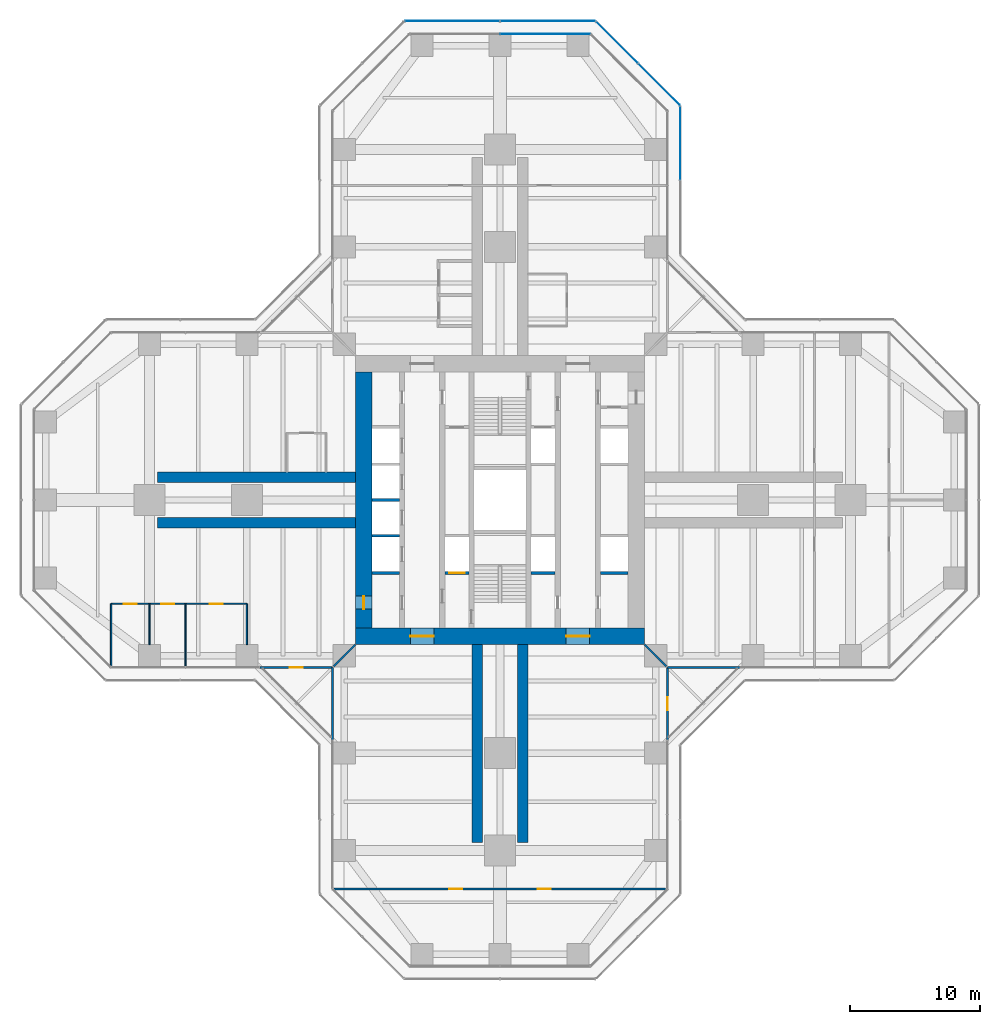
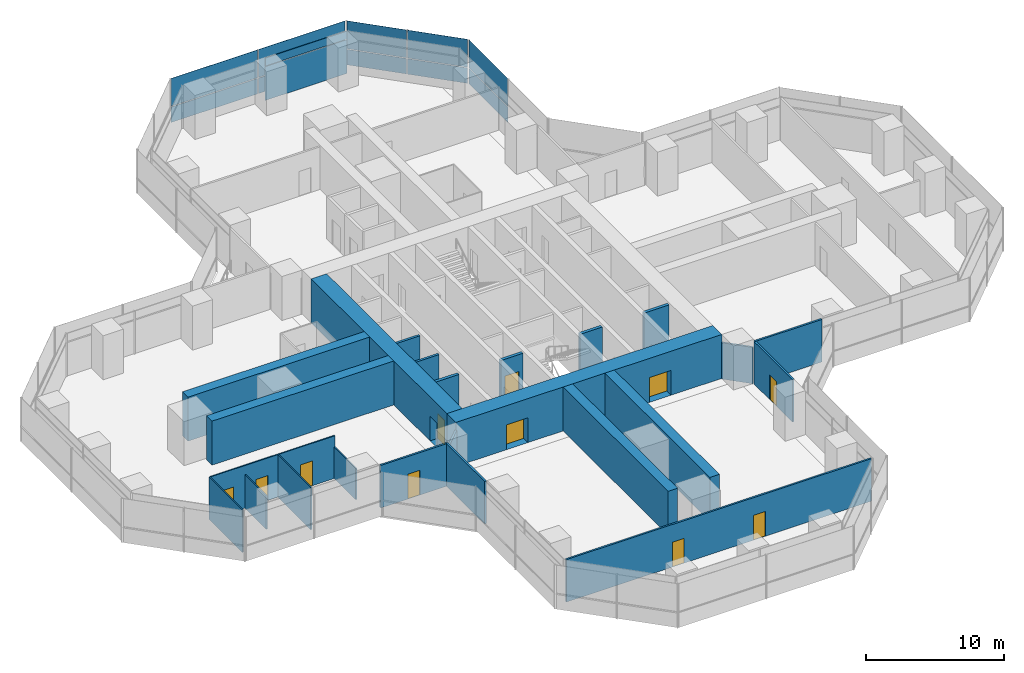
# One storey, part 17 of 22: 24 walls, 12 plates, 11 doors, 11 openings, 4 elements without a shape of their own.
"""IFC4 building model written with IfcOpenShell, lengths in metres."""

from ifc_helpers import new_model, si_unit, direction, frame, frame_2d, origin, origin_2d, place, context, subcontext, project, spatial, rectangle, extrude, material, layer, layer_set, type_object, element, fill, aggregate, save


model = new_model("IFC4")

# Units and contexts
model_context = context("Model", 3, precision=1e-05, world=origin(), true_north=direction((0.0, 1.0)))
body_context = subcontext(model_context, "Body", "Model", "MODEL_VIEW")
ifc_project = project(units=[si_unit("LENGTHUNIT", "METRE"), si_unit("AREAUNIT", "SQUARE_METRE"), si_unit("VOLUMEUNIT", "CUBIC_METRE"), si_unit("PLANEANGLEUNIT", "RADIAN"), si_unit("MASSUNIT", "GRAM", prefix="KILO")], contexts=[model_context])

# Site, building, storey
site_placement = place(None, origin())
site = spatial("IfcSite", under=ifc_project, at=site_placement, CompositionType="ELEMENT")
building_placement = place(site_placement, origin())
building = spatial("IfcBuilding", under=site, at=building_placement, Name="Mizan Broadcast Tower", CompositionType="ELEMENT")
storey_placement = place(building_placement, frame((0.0, 0.0, 70.800048828125)))
storey = spatial("IfcBuildingStorey", under=building, at=storey_placement, Name="L14", CompositionType="ELEMENT", Elevation=70.800048828125)

# Curtain wall, plates
ifc_material_1 = material(Name="Aluminium framed glazing", Category="aluminium")
curtain_wall_type_1 = type_object("IfcCurtainWallType", Name="INNER SKIN LOW ZONE", PredefinedType="USERDEFINED", material=ifc_material_1)
curtain_wall_1_placement = place(storey_placement, origin())
curtain_wall_1 = element("IfcCurtainWall", 1, at=curtain_wall_1_placement, inside=storey, type_object=curtain_wall_type_1, Name="Inner skin low zone L14 N end", ObjectType="INNER SKIN LOW ZONE", PredefinedType="USERDEFINED")
ifc_material_2 = material(Name="Double glazing, clear low-e", Category="glass")
ifc_layer_1 = layer(ifc_material_2, 0.028076171875)
ifc_layer_set_1 = layer_set([ifc_layer_1], Name="Double glazing, clear low-e")
plate_type_1 = type_object("IfcPlateType", Name="INNER SKIN GLAZING UNIT", PredefinedType="CURTAIN_PANEL", material=ifc_layer_set_1)
plate_1_placement = place(storey_placement, frame((3.46435546875, 35.89990234375, 0.0), z_axis=(0.0, 0.0, 1.0), x_axis=(-1.0, 0.0, 0.0)))
plate_1 = element("IfcPlate", 2, at=plate_1_placement, type_object=plate_type_1, Name="Inner skin low zone L14 N end panel 1.1", PredefinedType="CURTAIN_PANEL", context=body_context, shape_type="SweptSolid", body=[
    extrude(rectangle(XDim=6.86865234375, YDim=0.028076171875, at=origin_2d()), origin(), (0.0, 0.0, 1.0), 3.0),
])
ifc_material_3 = material(Name="Insulated aluminium spandrel panel, pale anodised", Category="aluminium")
ifc_layer_2 = layer(ifc_material_3, 0.050048828125)
ifc_layer_set_2 = layer_set([ifc_layer_2], Name="Insulated aluminium spandrel panel, pale anodised")
plate_type_2 = type_object("IfcPlateType", Name="INNER SKIN SPANDREL PANEL", PredefinedType="CURTAIN_PANEL", material=ifc_layer_set_2)
plate_2_placement = place(storey_placement, frame((3.46435546875, 35.89990234375, 3.06005859375), z_axis=(0.0, 0.0, 1.0), x_axis=(-1.0, 0.0, 0.0)))
plate_2 = element("IfcPlate", 3, at=plate_2_placement, type_object=plate_type_2, Name="Inner skin low zone L14 N end panel 1.2", PredefinedType="CURTAIN_PANEL", context=body_context, shape_type="SweptSolid", body=[
    extrude(rectangle(XDim=6.86865234375, YDim=0.050048828125, at=origin_2d()), origin(), (0.0, 0.0, 1.0), 0.7099609375),
])
aggregate(curtain_wall_1, [plate_1, plate_2])

ifc_material_4 = material(Name="Aluminium framed glazing", Category="aluminium")
curtain_wall_type_2 = type_object("IfcCurtainWallType", Name="OUTER SKIN", PredefinedType="USERDEFINED", material=ifc_material_4)
curtain_wall_2_placement = place(storey_placement, origin())
curtain_wall_2 = element("IfcCurtainWall", 4, at=curtain_wall_2_placement, inside=storey, type_object=curtain_wall_type_2, Name="Outer skin L14 N chamfer", ObjectType="OUTER SKIN", PredefinedType="USERDEFINED")
ifc_material_5 = material(Name="Laminated clear glass", Category="glass")
ifc_layer_3 = layer(ifc_material_5, 0.02001953125)
ifc_layer_set_3 = layer_set([ifc_layer_3], Name="Laminated clear glass")
plate_type_3 = type_object("IfcPlateType", Name="OUTER SKIN CLEAR GLASS", PredefinedType="CURTAIN_PANEL", material=ifc_layer_set_3)
plate_3_placement = place(storey_placement, frame((12.254150390625, 32.018798828125, 0.0), z_axis=(0.0, 0.0, 1.0), x_axis=(-0.707106781187, 0.707106781187, 0.0)))
plate_3 = element("IfcPlate", 5, at=plate_3_placement, type_object=plate_type_3, Name="Outer skin L14 N chamfer panel 1.1", PredefinedType="CURTAIN_PANEL", context=body_context, shape_type="SweptSolid", body=[
    extrude(rectangle(XDim=4.495361328125, YDim=0.02001953125, at=origin_2d()), origin(), (0.0, 0.0, 1.0), 1.3701171875),
])
plate_4_placement = place(storey_placement, frame((12.254150390625, 32.018798828125, 1.43017578125), z_axis=(0.0, 0.0, 1.0), x_axis=(-0.707106781187, 0.707106781187, 0.0)))
plate_4 = element("IfcPlate", 6, at=plate_4_placement, type_object=plate_type_3, Name="Outer skin L14 N chamfer panel 1.2", PredefinedType="CURTAIN_PANEL", context=body_context, shape_type="SweptSolid", body=[
    extrude(rectangle(XDim=4.495361328125, YDim=0.02001953125, at=origin_2d()), origin(), (0.0, 0.0, 1.0), 2.469970703125),
])

curtain_wall_3_placement = place(storey_placement, origin())
curtain_wall_3 = element("IfcCurtainWall", 7, at=curtain_wall_3_placement, inside=storey, type_object=curtain_wall_type_2, Name="Outer skin L14 N end", ObjectType="OUTER SKIN", PredefinedType="USERDEFINED")
plate_5_placement = place(storey_placement, frame((3.66650390625, 36.89990234375, 0.0), z_axis=(0.0, 0.0, 1.0), x_axis=(-1.0, 0.0, 0.0)))
plate_5 = element("IfcPlate", 8, at=plate_5_placement, type_object=plate_type_3, Name="Outer skin L14 N end panel 1.1", PredefinedType="CURTAIN_PANEL", context=body_context, shape_type="SweptSolid", body=[
    extrude(rectangle(XDim=7.252685546875, YDim=0.02001953125, at=origin_2d()), origin(), (0.0, 0.0, 1.0), 1.3701171875),
])
plate_6_placement = place(storey_placement, frame((3.66650390625, 36.89990234375, 1.43017578125), z_axis=(0.0, 0.0, 1.0), x_axis=(-1.0, 0.0, 0.0)))
plate_6 = element("IfcPlate", 9, at=plate_6_placement, type_object=plate_type_3, Name="Outer skin L14 N end panel 1.2", PredefinedType="CURTAIN_PANEL", context=body_context, shape_type="SweptSolid", body=[
    extrude(rectangle(XDim=7.252685546875, YDim=0.02001953125, at=origin_2d()), origin(), (0.0, 0.0, 1.0), 2.469970703125),
])
plate_7_placement = place(storey_placement, frame((-3.66650390625, 36.89990234375, 0.0), z_axis=(0.0, 0.0, 1.0), x_axis=(-1.0, 0.0, 0.0)))
plate_7 = element("IfcPlate", 10, at=plate_7_placement, type_object=plate_type_3, Name="Outer skin L14 N end panel 2.1", PredefinedType="CURTAIN_PANEL", context=body_context, shape_type="SweptSolid", body=[
    extrude(rectangle(XDim=7.252685546875, YDim=0.02001953125, at=origin_2d()), origin(), (0.0, 0.0, 1.0), 1.3701171875),
])
plate_8_placement = place(storey_placement, frame((-3.66650390625, 36.89990234375, 1.43017578125), z_axis=(0.0, 0.0, 1.0), x_axis=(-1.0, 0.0, 0.0)))
plate_8 = element("IfcPlate", 11, at=plate_8_placement, type_object=plate_type_3, Name="Outer skin L14 N end panel 2.2", PredefinedType="CURTAIN_PANEL", context=body_context, shape_type="SweptSolid", body=[
    extrude(rectangle(XDim=7.252685546875, YDim=0.02001953125, at=origin_2d()), origin(), (0.0, 0.0, 1.0), 2.469970703125),
])
aggregate(curtain_wall_3, [plate_5, plate_6, plate_7, plate_8])

curtain_wall_4_placement = place(storey_placement, origin())
curtain_wall_4 = element("IfcCurtainWall", 12, at=curtain_wall_4_placement, inside=storey, type_object=curtain_wall_type_2, Name="Outer skin L14 N side", ObjectType="OUTER SKIN", PredefinedType="USERDEFINED")
ifc_material_6 = material(Name="Perforated aluminium, pale anodised", Category="aluminium")
ifc_layer_4 = layer(ifc_material_6, 0.011962890625)
ifc_layer_set_4 = layer_set([ifc_layer_4], Name="Perforated aluminium, pale anodised")
plate_type_4 = type_object("IfcPlateType", Name="OUTER SKIN PERFORATED SCREEN", PredefinedType="USERDEFINED", material=ifc_layer_set_4)
plate_9_placement = place(storey_placement, frame((13.89990234375, 27.477783203125, 0.0), z_axis=(0.0, 0.0, 1.0), x_axis=(0.0, 1.0, 0.0)))
plate_9 = element("IfcPlate", 13, at=plate_9_placement, type_object=plate_type_4, Name="Outer skin L14 N side panel 2.1", ObjectType="SCREEN", PredefinedType="USERDEFINED", context=body_context, shape_type="SweptSolid", body=[
    extrude(rectangle(XDim=5.6298828125, YDim=0.011962890625, at=origin_2d()), origin(), (0.0, 0.0, 1.0), 1.3701171875),
])
plate_10_placement = place(storey_placement, frame((13.89990234375, 27.477783203125, 1.43017578125), z_axis=(0.0, 0.0, 1.0), x_axis=(0.0, 1.0, 0.0)))
plate_10 = element("IfcPlate", 14, at=plate_10_placement, type_object=plate_type_4, Name="Outer skin L14 N side panel 2.2", ObjectType="SCREEN", PredefinedType="USERDEFINED", context=body_context, shape_type="SweptSolid", body=[
    extrude(rectangle(XDim=5.6298828125, YDim=0.011962890625, at=origin_2d()), origin(), (0.0, 0.0, 1.0), 2.469970703125),
])
aggregate(curtain_wall_4, [plate_9, plate_10])

# Plate
plate_11_placement = place(storey_placement, frame((9.018798828125, 35.254150390625, 0.0), z_axis=(0.0, 0.0, 1.0), x_axis=(-0.707106781187, 0.707106781187, 0.0)))
plate_11 = element("IfcPlate", 15, at=plate_11_placement, type_object=plate_type_4, Name="Outer skin L14 N chamfer panel 2.1", ObjectType="SCREEN", PredefinedType="USERDEFINED", context=body_context, shape_type="SweptSolid", body=[
    extrude(rectangle(XDim=4.495361328125, YDim=0.011962890625, at=origin_2d()), origin(), (0.0, 0.0, 1.0), 1.3701171875),
])

plate_12_placement = place(storey_placement, frame((9.018798828125, 35.254150390625, 1.43017578125), z_axis=(0.0, 0.0, 1.0), x_axis=(-0.707106781187, 0.707106781187, 0.0)))
plate_12 = element("IfcPlate", 16, at=plate_12_placement, type_object=plate_type_4, Name="Outer skin L14 N chamfer panel 2.2", ObjectType="SCREEN", PredefinedType="USERDEFINED", context=body_context, shape_type="SweptSolid", body=[
    extrude(rectangle(XDim=4.495361328125, YDim=0.011962890625, at=origin_2d()), origin(), (0.0, 0.0, 1.0), 2.469970703125),
])

aggregate(curtain_wall_2, [plate_3, plate_4, plate_11, plate_12])

# Wall, openings, doors
ifc_material_7 = material(Name="Concrete C70/85", Category="concrete")
ifc_layer_5 = layer(ifc_material_7, 1.300048828125)
ifc_layer_set_5 = layer_set([ifc_layer_5], Name="Concrete C70/85")
wall_type_1 = type_object("IfcWallType", Name="CORE WALL 1300", PredefinedType="SHEAR", material=ifc_layer_set_5)
wall_1_placement = place(storey_placement, frame((11.14990234375, -10.5, 0.0), z_axis=(0.0, 0.0, 1.0), x_axis=(-1.0, 0.0, 0.0)))
wall_1 = element("IfcWall", 17, at=wall_1_placement, inside=storey, type_object=wall_type_1, Name="Core wall S L14", PredefinedType="SHEAR", context=body_context, shape_type="SweptSolid", body=[
    extrude(rectangle(XDim=22.2998046875, YDim=1.300048828125, at=frame_2d((11.14990234375, 0.0))), origin(), (0.0, 0.0, 1.0), 3.89990234375),
])
opening_1_placement = place(wall_1_placement, frame((16.25, 0.0, 0.0)))
opening_1 = element("IfcOpeningElement", 18, at=opening_1_placement, cuts=wall_1, Name="Opening D18F", PredefinedType="OPENING", context=body_context, shape_type="SweptSolid", body=[
    extrude(rectangle(XDim=1.800048828125, YDim=2.199951171875, at=frame_2d((0.89990234375, 1.10009765625))), frame((0.0, 0.659912109375, 0.0), z_axis=(0.0, -1.0, 0.0), x_axis=(1.0, 0.0, 0.0)), (0.0, 0.0, 1.0), 1.320068359375),
])
opening_2_placement = place(wall_1_placement, frame((4.25, 0.0, 0.0)))
opening_2 = element("IfcOpeningElement", 19, at=opening_2_placement, cuts=wall_1, Name="Opening D18F", PredefinedType="OPENING", context=body_context, shape_type="SweptSolid", body=[
    extrude(rectangle(XDim=1.800048828125, YDim=2.199951171875, at=frame_2d((0.89990234375, 1.10009765625))), frame((0.0, 0.659912109375, 0.0), z_axis=(0.0, -1.0, 0.0), x_axis=(1.0, 0.0, 0.0)), (0.0, 0.0, 1.0), 1.320068359375),
])
ifc_material_8 = material(Name="Steel door leaf in steel frame", Category="steel")
door_type_1 = type_object("IfcDoorType", Name="LOBBY DOUBLE DOOR 1800 FD90", OperationType="DOUBLE_DOOR_DOUBLE_SWING", PredefinedType="DOOR", material=ifc_material_8)
door_1_placement = place(opening_1_placement, origin())
door_1 = element("IfcDoor", 20, at=door_1_placement, inside=storey, type_object=door_type_1, Name="West lift lobby south door", OperationType="DOUBLE_DOOR_DOUBLE_SWING", OverallHeight=2.199951171875, OverallWidth=1.800048828125, PredefinedType="DOOR", context=body_context, shape_type="SweptSolid", body=[
    extrude(rectangle(XDim=1.800048828125, YDim=2.199951171875, at=frame_2d((0.89990234375, 1.10009765625))), frame((0.0, 0.02490234375, 0.0), z_axis=(0.0, -1.0, 0.0), x_axis=(1.0, 0.0, 0.0)), (0.0, 0.0, 1.0), 0.050048828125),
])
fill(opening_1, door_1)
door_2_placement = place(opening_2_placement, origin())
door_2 = element("IfcDoor", 21, at=door_2_placement, inside=storey, type_object=door_type_1, Name="East lift lobby south door", OperationType="DOUBLE_DOOR_DOUBLE_SWING", OverallHeight=2.199951171875, OverallWidth=1.800048828125, PredefinedType="DOOR", context=body_context, shape_type="SweptSolid", body=[
    extrude(rectangle(XDim=1.800048828125, YDim=2.199951171875, at=frame_2d((0.89990234375, 1.10009765625))), frame((0.0, 0.02490234375, 0.0), z_axis=(0.0, -1.0, 0.0), x_axis=(1.0, 0.0, 0.0)), (0.0, 0.0, 1.0), 0.050048828125),
])
fill(opening_2, door_2)

# Wall, opening, door
wall_2_placement = place(storey_placement, frame((-10.5, 9.85009765625, 0.0), z_axis=(0.0, 0.0, 1.0), x_axis=(0.0, -1.0, 0.0)))
wall_2 = element("IfcWall", 22, at=wall_2_placement, inside=storey, type_object=wall_type_1, Name="Core wall W L14", PredefinedType="SHEAR", context=body_context, shape_type="SweptSolid", body=[
    extrude(rectangle(XDim=19.7001953125, YDim=1.300048828125, at=frame_2d((9.85009765625, 0.0))), origin(), (0.0, 0.0, 1.0), 3.89990234375),
])
opening_3_placement = place(wall_2_placement, frame((17.25, 0.0, 0.0)))
opening_3 = element("IfcOpeningElement", 23, at=opening_3_placement, cuts=wall_2, Name="Opening D10F", PredefinedType="OPENING", context=body_context, shape_type="SweptSolid", body=[
    extrude(rectangle(XDim=1.0, YDim=2.199951171875, at=frame_2d((0.5, 1.10009765625))), frame((0.0, 0.659912109375, 0.0), z_axis=(0.0, -1.0, 0.0), x_axis=(1.0, 0.0, 0.0)), (0.0, 0.0, 1.0), 1.320068359375),
])
ifc_material_9 = material(Name="Steel door leaf in steel frame", Category="steel")
door_type_2 = type_object("IfcDoorType", Name="FIRE DOOR 1000 FD90", OperationType="SINGLE_SWING_LEFT", PredefinedType="DOOR", material=ifc_material_9)
door_3_placement = place(opening_3_placement, origin())
door_3 = element("IfcDoor", 24, at=door_3_placement, inside=storey, type_object=door_type_2, Name="West core passage arm door", OperationType="SINGLE_SWING_RIGHT", OverallHeight=2.199951171875, OverallWidth=1.0, PredefinedType="DOOR", context=body_context, shape_type="SweptSolid", body=[
    extrude(rectangle(XDim=1.0, YDim=2.199951171875, at=frame_2d((0.5, 1.10009765625))), frame((0.0, 0.02490234375, 0.0), z_axis=(0.0, -1.0, 0.0), x_axis=(1.0, 0.0, 0.0)), (0.0, 0.0, 1.0), 0.050048828125),
])
fill(opening_3, door_3)

# Wall
ifc_material_10 = material(Name="Aluminium framed glazed screen", Category="aluminium")
ifc_layer_6 = layer(ifc_material_10, 0.159912109375)
ifc_layer_set_6 = layer_set([ifc_layer_6], Name="Aluminium framed glazed screen")
wall_type_2 = type_object("IfcWallType", Name="GLAZED SCREEN WALL 160", PredefinedType="SOLIDWALL", material=ifc_layer_set_6)
wall_3_placement = place(storey_placement, frame((12.89990234375, -12.89990234375, 0.0), z_axis=(0.0, 0.0, 1.0), x_axis=(1.0, 0.0, 0.0)))
element("IfcWall", 25, at=wall_3_placement, inside=storey, type_object=wall_type_2, Name="Winter garden screen L14 E", PredefinedType="SOLIDWALL", context=body_context, shape_type="SweptSolid", body=[
    extrude(rectangle(XDim=5.60009765625, YDim=0.159912109375, at=frame_2d((2.800048828125, 0.0))), origin(), (0.0, 0.0, 1.0), 3.77001953125),
])

# Wall, opening, door
wall_4_placement = place(storey_placement, frame((-18.5, -12.89990234375, 0.0), z_axis=(0.0, 0.0, 1.0), x_axis=(1.0, 0.0, 0.0)))
wall_4 = element("IfcWall", 26, at=wall_4_placement, inside=storey, type_object=wall_type_2, Name="Winter garden screen L14 W", PredefinedType="SOLIDWALL", context=body_context, shape_type="SweptSolid", body=[
    extrude(rectangle(XDim=5.60009765625, YDim=0.159912109375, at=frame_2d((2.800048828125, 0.0))), origin(), (0.0, 0.0, 1.0), 3.77001953125),
])
opening_4_placement = place(wall_4_placement, frame((2.300048828125, 0.0, 0.0)))
opening_4 = element("IfcOpeningElement", 27, at=opening_4_placement, cuts=wall_4, Name="Opening WGD", PredefinedType="OPENING", context=body_context, shape_type="SweptSolid", body=[
    extrude(rectangle(XDim=1.0, YDim=2.199951171875, at=frame_2d((0.5, 1.10009765625))), frame((0.0, 0.08984375, 0.0), z_axis=(0.0, -1.0, 0.0), x_axis=(1.0, 0.0, 0.0)), (0.0, 0.0, 1.0), 0.179931640625),
])
ifc_material_11 = material(Name="Aluminium framed glazed door", Category="aluminium")
door_type_3 = type_object("IfcDoorType", Name="WINTER GARDEN DOOR 1000 GLAZED", OperationType="SINGLE_SWING_LEFT", PredefinedType="DOOR", material=ifc_material_11)
door_4_placement = place(opening_4_placement, origin())
door_4 = element("IfcDoor", 28, at=door_4_placement, inside=storey, type_object=door_type_3, Name="Winter garden door L14 W", OperationType="SINGLE_SWING_RIGHT", OverallHeight=2.199951171875, OverallWidth=1.0, PredefinedType="DOOR", context=body_context, shape_type="SweptSolid", body=[
    extrude(rectangle(XDim=1.0, YDim=2.199951171875, at=frame_2d((0.5, 1.10009765625))), frame((0.0, 0.02490234375, 0.0), z_axis=(0.0, -1.0, 0.0), x_axis=(1.0, 0.0, 0.0)), (0.0, 0.0, 1.0), 0.050048828125),
])
fill(opening_4, door_4)

# Wall
wall_5_placement = place(storey_placement, frame((-12.89990234375, -12.89990234375, 0.0), z_axis=(0.0, 0.0, 1.0), x_axis=(0.0, -1.0, 0.0)))
element("IfcWall", 29, at=wall_5_placement, inside=storey, type_object=wall_type_2, Name="Winter garden screen L14 S", PredefinedType="SOLIDWALL", context=body_context, shape_type="SweptSolid", body=[
    extrude(rectangle(XDim=5.60009765625, YDim=0.159912109375, at=frame_2d((2.800048828125, 0.0))), origin(), (0.0, 0.0, 1.0), 3.77001953125),
])

# Wall, opening, door
wall_6_placement = place(storey_placement, frame((12.89990234375, -18.5, 0.0), z_axis=(0.0, 0.0, 1.0), x_axis=(0.0, 1.0, 0.0)))
wall_6 = element("IfcWall", 30, at=wall_6_placement, inside=storey, type_object=wall_type_2, Name="Winter garden screen L14 S", PredefinedType="SOLIDWALL", context=body_context, shape_type="SweptSolid", body=[
    extrude(rectangle(XDim=5.60009765625, YDim=0.159912109375, at=frame_2d((2.800048828125, 0.0))), origin(), (0.0, 0.0, 1.0), 3.77001953125),
])
opening_5_placement = place(wall_6_placement, frame((2.300048828125, 0.0, 0.0)))
opening_5 = element("IfcOpeningElement", 31, at=opening_5_placement, cuts=wall_6, Name="Opening WGD", PredefinedType="OPENING", context=body_context, shape_type="SweptSolid", body=[
    extrude(rectangle(XDim=1.0, YDim=2.199951171875, at=frame_2d((0.5, 1.10009765625))), frame((0.0, 0.08984375, 0.0), z_axis=(0.0, -1.0, 0.0), x_axis=(1.0, 0.0, 0.0)), (0.0, 0.0, 1.0), 0.179931640625),
])
door_5_placement = place(opening_5_placement, origin())
door_5 = element("IfcDoor", 32, at=door_5_placement, inside=storey, type_object=door_type_3, Name="Winter garden door L14 S", OperationType="SINGLE_SWING_RIGHT", OverallHeight=2.199951171875, OverallWidth=1.0, PredefinedType="DOOR", context=body_context, shape_type="SweptSolid", body=[
    extrude(rectangle(XDim=1.0, YDim=2.199951171875, at=frame_2d((0.5, 1.10009765625))), frame((0.0, 0.02490234375, 0.0), z_axis=(0.0, -1.0, 0.0), x_axis=(1.0, 0.0, 0.0)), (0.0, 0.0, 1.0), 0.050048828125),
])
fill(opening_5, door_5)

# Walls
ifc_material_12 = material(Name="Concrete blockwork", Category="masonry")
ifc_layer_7 = layer(ifc_material_12, 0.199951171875)
ifc_layer_set_7 = layer_set([ifc_layer_7], Name="Concrete blockwork")
wall_type_3 = type_object("IfcWallType", Name="LIFT SHAFT WALL 200", PredefinedType="SOLIDWALL", material=ifc_layer_set_7)
for number, where, z_axis, x_axis, name in (
    (33, (-9.85009765625, -2.75, 0.0), (0.0, 0.0, 1.0), (1.0, 0.0, 0.0), "Lift shaft wall CORE/SW1-1"),
    (34, (-9.85009765625, 0.0, 0.0), (0.0, 0.0, 1.0), (1.0, 0.0, 0.0), "Lift shaft wall CORE/SW1-2"),
):
    element("IfcWall", number, at=place(storey_placement, frame(where, z_axis=z_axis, x_axis=x_axis)), inside=storey, type_object=wall_type_3, Name=name, PredefinedType="SOLIDWALL", context=body_context, shape_type="SweptSolid", body=[
        extrude(rectangle(XDim=2.10009765625, YDim=0.199951171875, at=frame_2d((1.050048828125, 0.0))), origin(), (0.0, 0.0, 1.0), 3.699951171875),
    ])
ifc_material_13 = material(Name="Concrete blockwork", Category="masonry")
ifc_layer_8 = layer(ifc_material_13, 0.25)
ifc_layer_set_8 = layer_set([ifc_layer_8], Name="Concrete blockwork")
wall_type_4 = type_object("IfcWallType", Name="LOBBY ENCLOSURE WALL 250", PredefinedType="SOLIDWALL", material=ifc_layer_set_8)
wall_7_placement = place(storey_placement, frame((-9.85009765625, -5.625, 0.0), z_axis=(0.0, 0.0, 1.0), x_axis=(1.0, 0.0, 0.0)))
element("IfcWall", 35, at=wall_7_placement, inside=storey, type_object=wall_type_4, Name="Lobby enclosure wall CORE/BW1S", PredefinedType="SOLIDWALL", context=body_context, shape_type="SweptSolid", body=[
    extrude(rectangle(XDim=2.10009765625, YDim=0.25, at=frame_2d((1.050048828125, 0.0))), origin(), (0.0, 0.0, 1.0), 3.699951171875),
])

# Wall, opening, door
wall_8_placement = place(storey_placement, frame((-4.25, -5.625, 0.0), z_axis=(0.0, 0.0, 1.0), x_axis=(1.0, 0.0, 0.0)))
wall_8 = element("IfcWall", 36, at=wall_8_placement, inside=storey, type_object=wall_type_4, Name="Lobby enclosure wall CORE/BW2S", PredefinedType="SOLIDWALL", context=body_context, shape_type="SweptSolid", body=[
    extrude(rectangle(XDim=1.85009765625, YDim=0.25, at=frame_2d((0.925048828125, 0.0))), origin(), (0.0, 0.0, 1.0), 3.699951171875),
])
opening_6_placement = place(wall_8_placement, frame((0.324951171875, 0.0, 0.0)))
opening_6 = element("IfcOpeningElement", 37, at=opening_6_placement, cuts=wall_8, Name="Opening LDF", PredefinedType="OPENING", context=body_context, shape_type="SweptSolid", body=[
    extrude(rectangle(XDim=1.199951171875, YDim=2.199951171875, at=frame_2d((0.60009765625, 1.10009765625))), frame((0.0, 0.135009765625, 0.0), z_axis=(0.0, -1.0, 0.0), x_axis=(1.0, 0.0, 0.0)), (0.0, 0.0, 1.0), 0.27001953125),
])
ifc_material_14 = material(Name="Steel door leaf in steel frame", Category="steel")
door_type_4 = type_object("IfcDoorType", Name="FIREFIGHTING LIFT LANDING DOOR 1200", OperationType="SLIDING_TO_LEFT", PredefinedType="DOOR", material=ifc_material_14)
door_6_placement = place(opening_6_placement, origin())
door_6 = element("IfcDoor", 38, at=door_6_placement, inside=storey, type_object=door_type_4, Name="Landing door FF1", OperationType="SLIDING_TO_LEFT", OverallHeight=2.199951171875, OverallWidth=1.199951171875, PredefinedType="DOOR", context=body_context, shape_type="SweptSolid", body=[
    extrude(rectangle(XDim=1.199951171875, YDim=2.199951171875, at=frame_2d((0.60009765625, 1.10009765625))), frame((0.0, 0.02490234375, 0.0), z_axis=(0.0, -1.0, 0.0), x_axis=(1.0, 0.0, 0.0)), (0.0, 0.0, 1.0), 0.050048828125),
])
fill(opening_6, door_6)

# Walls
wall_9_placement = place(storey_placement, frame((2.39990234375, -5.625, 0.0), z_axis=(0.0, 0.0, 1.0), x_axis=(1.0, 0.0, 0.0)))
element("IfcWall", 39, at=wall_9_placement, inside=storey, type_object=wall_type_4, Name="Lobby enclosure wall CORE/BE2S", PredefinedType="SOLIDWALL", context=body_context, shape_type="SweptSolid", body=[
    extrude(rectangle(XDim=1.85009765625, YDim=0.25, at=frame_2d((0.925048828125, 0.0))), origin(), (0.0, 0.0, 1.0), 3.699951171875),
])
wall_10_placement = place(storey_placement, frame((7.75, -5.625, 0.0), z_axis=(0.0, 0.0, 1.0), x_axis=(1.0, 0.0, 0.0)))
element("IfcWall", 40, at=wall_10_placement, inside=storey, type_object=wall_type_4, Name="Lobby enclosure wall CORE/BE1S", PredefinedType="SOLIDWALL", context=body_context, shape_type="SweptSolid", body=[
    extrude(rectangle(XDim=2.10009765625, YDim=0.25, at=frame_2d((1.050048828125, 0.0))), origin(), (0.0, 0.0, 1.0), 3.699951171875),
])

# Wall, openings, doors
ifc_material_15 = material(Name="Gypsum board on steel studs", Category="steel")
ifc_layer_9 = layer(ifc_material_15, 0.14990234375)
ifc_layer_set_9 = layer_set([ifc_layer_9], Name="Gypsum board on steel studs")
wall_type_5 = type_object("IfcWallType", Name="PARTITION 150", PredefinedType="PARTITIONING", material=ifc_layer_set_9)
wall_11_placement = place(storey_placement, frame((-12.786376953125, -29.958984375, 0.0), z_axis=(0.0, 0.0, 1.0), x_axis=(1.0, 0.0, 0.0)))
wall_11 = element("IfcWall", 41, at=wall_11_placement, inside=storey, type_object=wall_type_5, Name="Partition PT/SX1", PredefinedType="PARTITIONING", context=body_context, shape_type="SweptSolid", body=[
    extrude(rectangle(XDim=25.57275390625, YDim=0.14990234375, at=frame_2d((12.786376953125, 0.0))), origin(), (0.0, 0.0, 1.0), 3.77001953125),
])
opening_7_placement = place(wall_11_placement, frame((15.6865234375, 0.0, 0.0)))
opening_7 = element("IfcOpeningElement", 42, at=opening_7_placement, cuts=wall_11, Name="Opening D10", PredefinedType="OPENING", context=body_context, shape_type="SweptSolid", body=[
    extrude(rectangle(XDim=1.0, YDim=2.199951171875, at=frame_2d((0.5, 1.10009765625))), frame((0.0, 0.0849609375, 0.0), z_axis=(0.0, -1.0, 0.0), x_axis=(1.0, 0.0, 0.0)), (0.0, 0.0, 1.0), 0.169921875),
])
opening_8_placement = place(wall_11_placement, frame((8.886474609375, 0.0, 0.0)))
opening_8 = element("IfcOpeningElement", 43, at=opening_8_placement, cuts=wall_11, Name="Opening D10", PredefinedType="OPENING", context=body_context, shape_type="SweptSolid", body=[
    extrude(rectangle(XDim=1.0, YDim=2.199951171875, at=frame_2d((0.5, 1.10009765625))), frame((0.0, 0.0849609375, 0.0), z_axis=(0.0, -1.0, 0.0), x_axis=(1.0, 0.0, 0.0)), (0.0, 0.0, 1.0), 0.169921875),
])
ifc_material_16 = material(Name="Timber door leaf in aluminium frame", Category="wood")
door_type_5 = type_object("IfcDoorType", Name="ROOM DOOR 1000", OperationType="SINGLE_SWING_LEFT", PredefinedType="DOOR", material=ifc_material_16)
door_7_placement = place(opening_7_placement, origin())
door_7 = element("IfcDoor", 44, at=door_7_placement, inside=storey, type_object=door_type_5, Name="Video studio door", OperationType="SINGLE_SWING_RIGHT", OverallHeight=2.199951171875, OverallWidth=1.0, PredefinedType="DOOR", context=body_context, shape_type="SweptSolid", body=[
    extrude(rectangle(XDim=1.0, YDim=2.199951171875, at=frame_2d((0.5, 1.10009765625))), frame((0.0, 0.02490234375, 0.0), z_axis=(0.0, -1.0, 0.0), x_axis=(1.0, 0.0, 0.0)), (0.0, 0.0, 1.0), 0.050048828125),
])
fill(opening_7, door_7)
door_8_placement = place(opening_8_placement, origin())
door_8 = element("IfcDoor", 45, at=door_8_placement, inside=storey, type_object=door_type_5, Name="Video studio door", OperationType="SINGLE_SWING_LEFT", OverallHeight=2.199951171875, OverallWidth=1.0, PredefinedType="DOOR", context=body_context, shape_type="SweptSolid", body=[
    extrude(rectangle(XDim=1.0, YDim=2.199951171875, at=frame_2d((0.5, 1.10009765625))), frame((0.0, 0.02490234375, 0.0), z_axis=(0.0, -1.0, 0.0), x_axis=(1.0, 0.0, 0.0)), (0.0, 0.0, 1.0), 0.050048828125),
])
fill(opening_8, door_8)

# Walls
for number, where, z_axis, x_axis, name in (
    (46, (-11.14990234375, -11.14990234375, 0.0), (0.0, 0.0, 1.0), (-0.707106781187, -0.707106781187, 0.0), "Partition PT/DGWS"),
    (47, (11.14990234375, -11.14990234375, 0.0), (0.0, 0.0, 1.0), (0.707106781187, -0.707106781187, 0.0), "Partition PT/DGES"),
):
    element("IfcWall", number, at=place(storey_placement, frame(where, z_axis=z_axis, x_axis=x_axis)), inside=storey, type_object=wall_type_5, Name=name, PredefinedType="PARTITIONING", context=body_context, shape_type="SweptSolid", body=[
        extrude(rectangle(XDim=2.362060546875, YDim=0.14990234375, at=frame_2d((1.18115234375, 0.0))), origin(), (0.0, 0.0, 1.0), 3.219970703125),
    ])

# Wall, openings, doors
ifc_material_17 = material(Name="Glazed aluminium partition on aluminium track", Category="aluminium")
ifc_layer_10 = layer(ifc_material_17, 0.10009765625)
ifc_layer_set_10 = layer_set([ifc_layer_10], Name="Glazed aluminium partition on aluminium track")
wall_type_6 = type_object("IfcWallType", Name="PARTITION GLAZED OFFICE FRONT 100", PredefinedType="PARTITIONING", material=ifc_layer_set_10)
wall_12_placement = place(storey_placement, frame((-19.5, -8.0, 0.0), z_axis=(0.0, 0.0, 1.0), x_axis=(-1.0, 0.0, 0.0)))
wall_12 = element("IfcWall", 48, at=wall_12_placement, inside=storey, type_object=wall_type_6, Name="Glazed office front PT/WCP0", PredefinedType="PARTITIONING", context=body_context, shape_type="SweptSolid", body=[
    extrude(rectangle(XDim=10.458984375, YDim=0.10009765625, at=frame_2d((5.2294921875, 0.0))), origin(), (0.0, 0.0, 1.0), 3.77001953125),
])
opening_9_placement = place(wall_12_placement, frame((1.864501953125, 0.0, 0.0)))
opening_9 = element("IfcOpeningElement", 49, at=opening_9_placement, cuts=wall_12, Name="Opening D10O", PredefinedType="OPENING", context=body_context, shape_type="SweptSolid", body=[
    extrude(rectangle(XDim=1.0, YDim=2.199951171875, at=frame_2d((0.5, 1.10009765625))), frame((0.0, 0.06005859375, 0.0), z_axis=(0.0, -1.0, 0.0), x_axis=(1.0, 0.0, 0.0)), (0.0, 0.0, 1.0), 0.1201171875),
])
opening_10_placement = place(wall_12_placement, frame((5.614501953125, 0.0, 0.0)))
opening_10 = element("IfcOpeningElement", 50, at=opening_10_placement, cuts=wall_12, Name="Opening D10O", PredefinedType="OPENING", context=body_context, shape_type="SweptSolid", body=[
    extrude(rectangle(XDim=1.0, YDim=2.199951171875, at=frame_2d((0.5, 1.10009765625))), frame((0.0, 0.06005859375, 0.0), z_axis=(0.0, -1.0, 0.0), x_axis=(1.0, 0.0, 0.0)), (0.0, 0.0, 1.0), 0.1201171875),
])
opening_11_placement = place(wall_12_placement, frame((8.4794921875, 0.0, 0.0)))
opening_11 = element("IfcOpeningElement", 51, at=opening_11_placement, cuts=wall_12, Name="Opening D10O", PredefinedType="OPENING", context=body_context, shape_type="SweptSolid", body=[
    extrude(rectangle(XDim=1.0, YDim=2.199951171875, at=frame_2d((0.5, 1.10009765625))), frame((0.0, 0.06005859375, 0.0), z_axis=(0.0, -1.0, 0.0), x_axis=(1.0, 0.0, 0.0)), (0.0, 0.0, 1.0), 0.1201171875),
])
ifc_material_18 = material(Name="Timber door leaf in aluminium frame", Category="wood")
door_type_6 = type_object("IfcDoorType", Name="OFFICE DOOR 1000 GLAZED", OperationType="SINGLE_SWING_LEFT", PredefinedType="DOOR", material=ifc_material_18)
door_9_placement = place(opening_9_placement, origin())
door_9 = element("IfcDoor", 52, at=door_9_placement, inside=storey, type_object=door_type_6, Name="Meeting room door", OperationType="SINGLE_SWING_LEFT", OverallHeight=2.199951171875, OverallWidth=1.0, PredefinedType="DOOR", context=body_context, shape_type="SweptSolid", body=[
    extrude(rectangle(XDim=1.0, YDim=2.199951171875, at=frame_2d((0.5, 1.10009765625))), frame((0.0, 0.02490234375, 0.0), z_axis=(0.0, -1.0, 0.0), x_axis=(1.0, 0.0, 0.0)), (0.0, 0.0, 1.0), 0.050048828125),
])
fill(opening_9, door_9)
door_10_placement = place(opening_10_placement, origin())
door_10 = element("IfcDoor", 53, at=door_10_placement, inside=storey, type_object=door_type_6, Name="Quiet room door", OperationType="SINGLE_SWING_RIGHT", OverallHeight=2.199951171875, OverallWidth=1.0, PredefinedType="DOOR", context=body_context, shape_type="SweptSolid", body=[
    extrude(rectangle(XDim=1.0, YDim=2.199951171875, at=frame_2d((0.5, 1.10009765625))), frame((0.0, 0.02490234375, 0.0), z_axis=(0.0, -1.0, 0.0), x_axis=(1.0, 0.0, 0.0)), (0.0, 0.0, 1.0), 0.050048828125),
])
fill(opening_10, door_10)
door_11_placement = place(opening_11_placement, origin())
door_11 = element("IfcDoor", 54, at=door_11_placement, inside=storey, type_object=door_type_6, Name="Quiet room door", OperationType="SINGLE_SWING_RIGHT", OverallHeight=2.199951171875, OverallWidth=1.0, PredefinedType="DOOR", context=body_context, shape_type="SweptSolid", body=[
    extrude(rectangle(XDim=1.0, YDim=2.199951171875, at=frame_2d((0.5, 1.10009765625))), frame((0.0, 0.02490234375, 0.0), z_axis=(0.0, -1.0, 0.0), x_axis=(1.0, 0.0, 0.0)), (0.0, 0.0, 1.0), 0.050048828125),
])
fill(opening_11, door_11)

# Walls
wall_13_placement = place(storey_placement, frame((-19.5, -8.0, 0.0), z_axis=(0.0, 0.0, 1.0), x_axis=(0.0, -1.0, 0.0)))
element("IfcWall", 55, at=wall_13_placement, inside=storey, type_object=wall_type_6, Name="Glazed office front PT/WQP1950", PredefinedType="PARTITIONING", context=body_context, shape_type="SweptSolid", body=[
    extrude(rectangle(XDim=3.14990234375, YDim=0.10009765625, at=frame_2d((1.574951171875, 0.0))), origin(), (0.0, 0.0, 1.0), 2.77001953125),
])
wall_14_placement = place(storey_placement, frame((-24.22900390625, -8.0, 0.0), z_axis=(0.0, 0.0, 1.0), x_axis=(0.0, -1.0, 0.0)))
element("IfcWall", 56, at=wall_14_placement, inside=storey, type_object=wall_type_6, Name="Glazed office front PT/WQP2423", PredefinedType="PARTITIONING", context=body_context, shape_type="SweptSolid", body=[
    extrude(rectangle(XDim=4.820068359375, YDim=0.10009765625, at=frame_2d((2.41015625, 0.0))), origin(), (0.0, 0.0, 1.0), 3.77001953125),
])
wall_15_placement = place(storey_placement, frame((-27.0, -8.0, 0.0), z_axis=(0.0, 0.0, 1.0), x_axis=(0.0, -1.0, 0.0)))
element("IfcWall", 57, at=wall_15_placement, inside=storey, type_object=wall_type_6, Name="Glazed office front PT/WQP2700", PredefinedType="PARTITIONING", context=body_context, shape_type="SweptSolid", body=[
    extrude(rectangle(XDim=3.14990234375, YDim=0.10009765625, at=frame_2d((1.574951171875, 0.0))), origin(), (0.0, 0.0, 1.0), 2.969970703125),
])
wall_16_placement = place(storey_placement, frame((-29.958984375, -8.0, 0.0), z_axis=(0.0, 0.0, 1.0), x_axis=(0.0, -1.0, 0.0)))
element("IfcWall", 58, at=wall_16_placement, inside=storey, type_object=wall_type_6, Name="Glazed office front PT/WQP2996", PredefinedType="PARTITIONING", context=body_context, shape_type="SweptSolid", body=[
    extrude(rectangle(XDim=4.820068359375, YDim=0.10009765625, at=frame_2d((2.41015625, 0.0))), origin(), (0.0, 0.0, 1.0), 3.77001953125),
])
ifc_material_19 = material(Name="Concrete C70/85", Category="concrete")
ifc_layer_11 = layer(ifc_material_19, 0.800048828125)
ifc_layer_set_11 = layer_set([ifc_layer_11], Name="Concrete C70/85")
wall_type_7 = type_object("IfcWallType", Name="SPINE WALL 800", PredefinedType="SHEAR", material=ifc_layer_set_11)
for number, where, z_axis, x_axis, name in (
    (59, (-11.14990234375, 1.75, 0.0), (0.0, 0.0, 1.0), (-1.0, 0.0, 0.0), "Spine wall WR L14"),
    (60, (-11.14990234375, -1.75, 0.0), (0.0, 0.0, 1.0), (-1.0, 0.0, 0.0), "Spine wall WL L14"),
    (61, (-1.75, -11.14990234375, 0.0), (0.0, 0.0, 1.0), (0.0, -1.0, 0.0), "Spine wall SR L14"),
    (62, (1.75, -11.14990234375, 0.0), (0.0, 0.0, 1.0), (0.0, -1.0, 0.0), "Spine wall SL L14"),
):
    element("IfcWall", number, at=place(storey_placement, frame(where, z_axis=z_axis, x_axis=x_axis)), inside=storey, type_object=wall_type_7, Name=name, PredefinedType="SHEAR", context=body_context, shape_type="SweptSolid", body=[
        extrude(rectangle(XDim=15.25, YDim=0.800048828125, at=frame_2d((7.625, 0.0))), origin(), (0.0, 0.0, 1.0), 3.89990234375),
    ])

save(model, "model.ifc")
